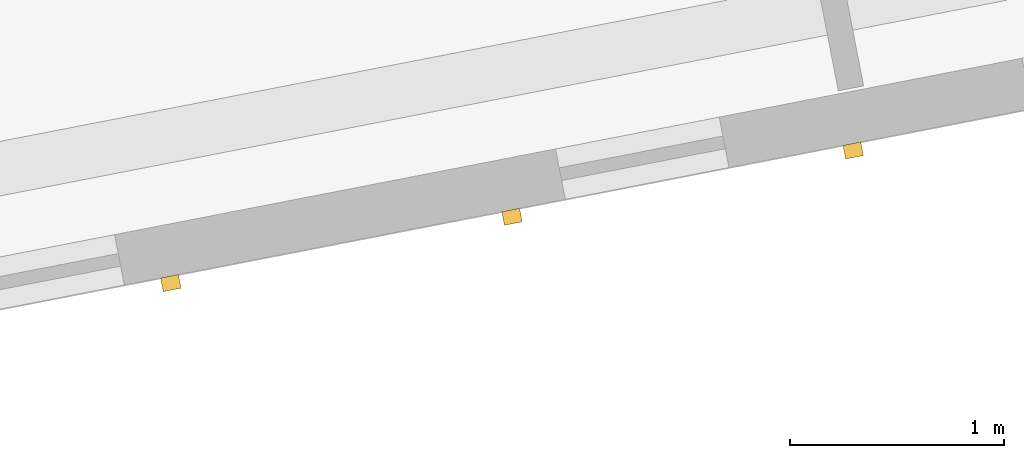
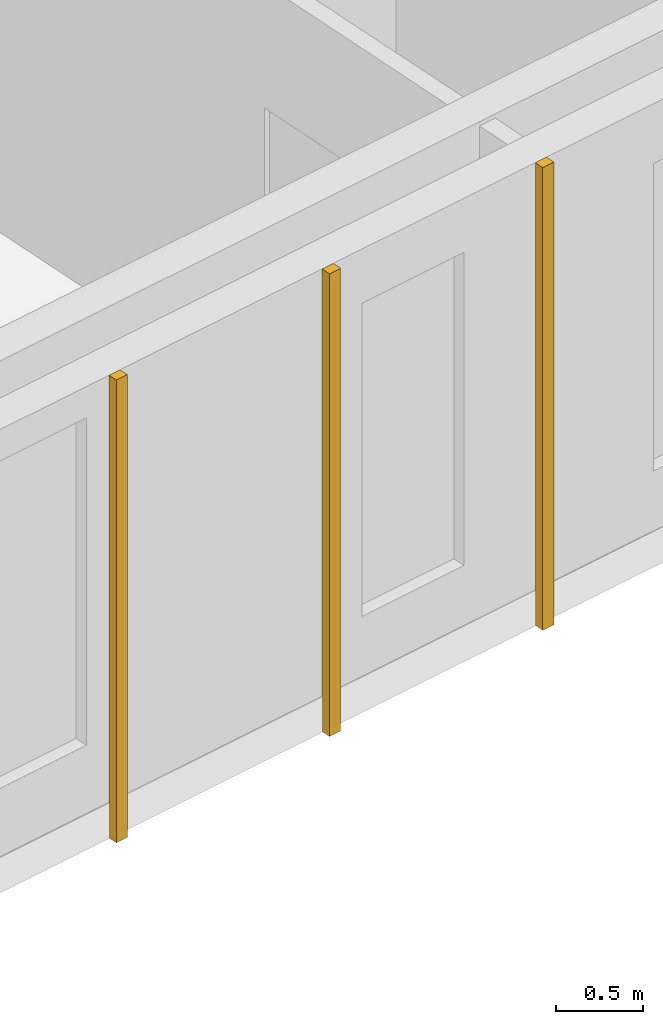
# One storey, part 58 of 64: 3 coverings.
"""IFC4 building model written with IfcOpenShell, lengths in metres."""

from ifc_helpers import new_model, si_unit, direction, frame, origin, origin_2d, place, context, subcontext, project, spatial, rectangle, extrude, material, layer, layer_set, type_object, element, save


model = new_model("IFC4")

# Units and contexts
model_context = context("Model", 3, precision=1e-05, world=origin(), true_north=direction((0.0, 1.0)))
body_context = subcontext(model_context, "Body", "Model", "MODEL_VIEW")
ifc_project = project(units=[si_unit("LENGTHUNIT", "METRE"), si_unit("AREAUNIT", "SQUARE_METRE"), si_unit("VOLUMEUNIT", "CUBIC_METRE"), si_unit("PLANEANGLEUNIT", "RADIAN"), si_unit("MASSUNIT", "GRAM", prefix="KILO")], contexts=[model_context])

# Site, building, storey
site_placement = place(None, origin())
site = spatial("IfcSite", under=ifc_project, at=site_placement, CompositionType="ELEMENT")
building_placement = place(site_placement, origin())
building = spatial("IfcBuilding", under=site, at=building_placement, Name="Kestramere Prow Commons", CompositionType="ELEMENT")
storey_placement = place(building_placement, frame((0.0, 0.0, 24.64990234375)))
storey = spatial("IfcBuildingStorey", under=building, at=storey_placement, Name="L07", CompositionType="ELEMENT", Elevation=24.64990234375)

# Coverings
ifc_material = material(Name="Weathered Zinc-Titanium Standing-Seam Cladding")
ifc_layer = layer(ifc_material, 0.074951171875)
ifc_layer_set = layer_set([ifc_layer], Name="Weathered Zinc-Titanium Standing-Seam Cladding")
covering_type = type_object("IfcCoveringType", Name="COV-CLAD-SEAM", PredefinedType="CLADDING", material=ifc_layer_set)
for number, where, z_axis, x_axis, name in (
    (1, (160.616455078125, 41.515869140625, -0.25), (0.0, 0.0, 1.0), (-0.981627183448, -0.190808995377, 0.0), "EW-D-L07-S-5 Standing-Seam Rib 2"),
    (2, (159.021484375, 41.205810546875, -0.25), (0.0, 0.0, 1.0), (-0.981627183448, -0.190808995377, 0.0), "EW-D-L07-S-5 Standing-Seam Rib 3"),
    (3, (157.42626953125, 40.895751953125, -0.25), (0.0, 0.0, 1.0), (-0.981627183448, -0.190808995377, 0.0), "EW-D-L07-S-5 Standing-Seam Rib 4"),
):
    element("IfcCovering", number, at=place(storey_placement, frame(where, z_axis=z_axis, x_axis=x_axis)), inside=storey, type_object=covering_type, Name=name, PredefinedType="CLADDING", context=body_context, shape_type="SweptSolid", body=[
        extrude(rectangle(XDim=0.0849609375, YDim=0.06494140625, at=origin_2d()), origin(), (0.0, 0.0, 1.0), 3.25),
    ])

save(model, "model.ifc")
